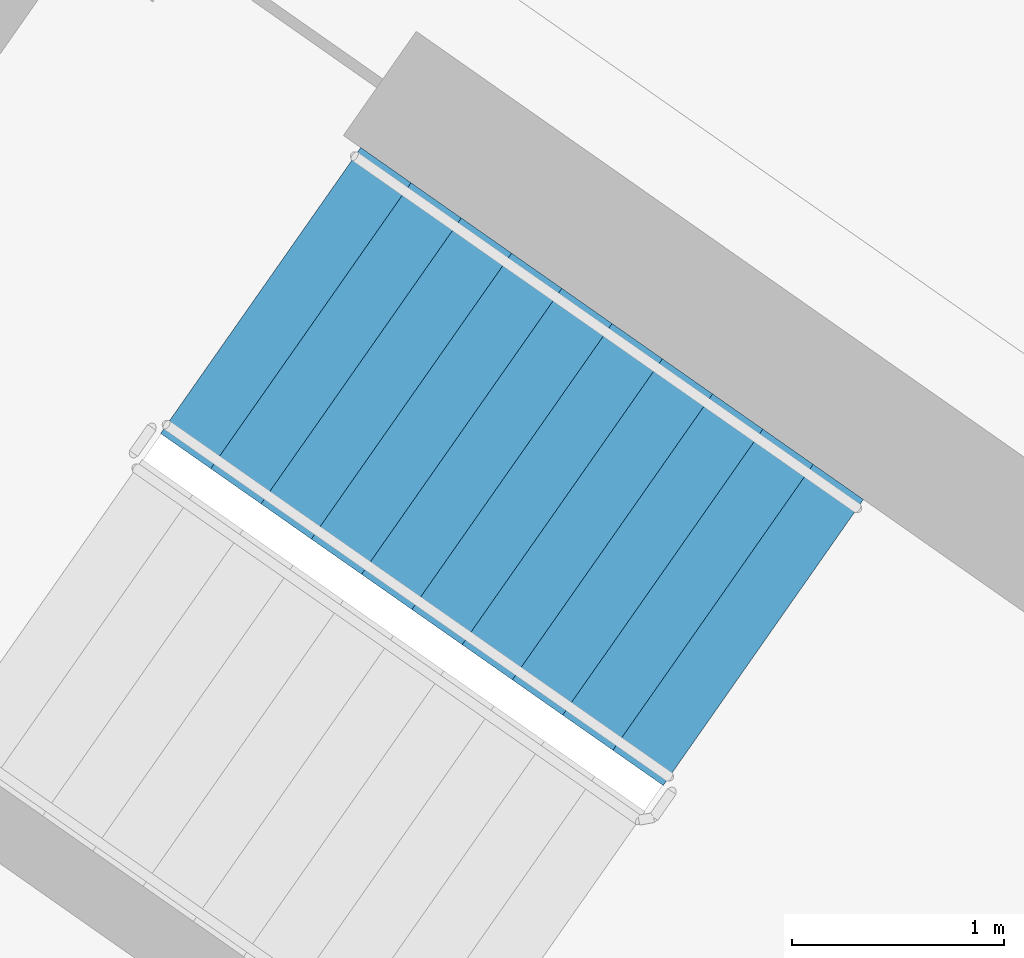
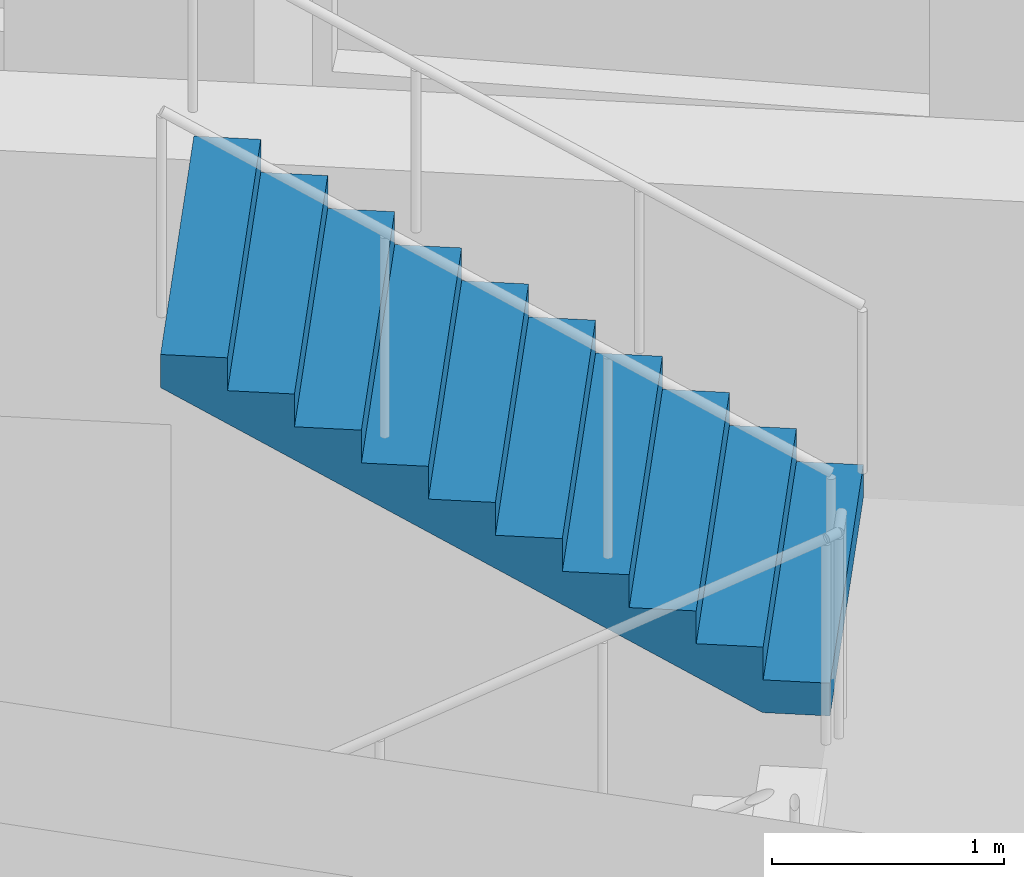
# One storey, part 12 of 27: 1 stair flight, 1 element without a shape of its own.
"""IFC4 building model written with IfcOpenShell, lengths in metres."""

from ifc_helpers import new_model, si_unit, direction, frame, origin, place, context, subcontext, project, spatial, faceted_brep, material, type_object, element, aggregate, save


model = new_model("IFC4")

# Units and contexts
model_context = context("Model", 3, precision=1e-05, world=origin(), true_north=direction((0.0, 1.0)))
body_context = subcontext(model_context, "Body", "Model", "MODEL_VIEW")
ifc_project = project(units=[si_unit("LENGTHUNIT", "METRE"), si_unit("AREAUNIT", "SQUARE_METRE"), si_unit("VOLUMEUNIT", "CUBIC_METRE"), si_unit("PLANEANGLEUNIT", "RADIAN"), si_unit("MASSUNIT", "GRAM", prefix="KILO")], contexts=[model_context])

# Site, building, storey
site_placement = place(None, origin())
site = spatial("IfcSite", under=ifc_project, at=site_placement, CompositionType="ELEMENT")
building_placement = place(site_placement, origin())
building = spatial("IfcBuilding", under=site, at=building_placement, Name="Qamariyya Broadcast Tower", CompositionType="ELEMENT")
storey_placement = place(building_placement, frame((0.0, 0.0, 164.5)))
storey = spatial("IfcBuildingStorey", under=building, at=storey_placement, Name="L38", CompositionType="ELEMENT", Elevation=164.5)

# Stair, stair flight
ifc_material = material(Name="Concrete C50/60", Category="concrete")
stair_type = type_object("IfcStairType", Name="Exit stair 22 risers of 173 mm", PredefinedType="HALF_TURN_STAIR", material=ifc_material)
stair_placement = place(storey_placement, origin())
stair = element("IfcStair", 1, at=stair_placement, inside=storey, type_object=stair_type, Name="L38 Stair W2", PredefinedType="HALF_TURN_STAIR")
stair_flight_type = type_object("IfcStairFlightType", Name="Exit stair flight 11 risers of 173 mm", PredefinedType="STRAIGHT", material=ifc_material)
stair_flight_placement = place(storey_placement, frame((-38.18310546875, -49.3486328125, 1.89990234375), z_axis=(0.0, 0.0, 1.0), x_axis=(-0.819152044289, 0.573576436351, 0.0)))
stair_flight = element("IfcStairFlight", 2, at=stair_flight_placement, type_object=stair_flight_type, Name="ST-W2 flight 2", NumberOfRisers=11, NumberOfTreads=10, PredefinedType="STRAIGHT", RiserHeight=0.172727273, TreadLength=0.29, context=body_context, shape_type="Brep", body=[
    faceted_brep([(0.0, 0.824951171875, 0.0), (0.0, 0.824951171875, 0.172607421875), (0.2900390625, 0.824951171875, 0.172607421875), (0.2900390625, 0.824951171875, 0.345458984375), (0.580078125, 0.824951171875, 0.345458984375), (0.580078125, 0.824951171875, 0.51806640625), (0.8701171875, 0.824951171875, 0.51806640625), (0.8701171875, 0.824951171875, 0.69091796875), (1.159912109375, 0.824951171875, 0.69091796875), (1.159912109375, 0.824951171875, 0.863525390625), (1.449951171875, 0.824951171875, 0.863525390625), (1.449951171875, 0.824951171875, 1.036376953125), (1.739990234375, 0.824951171875, 1.036376953125), (1.739990234375, 0.824951171875, 1.208984375), (2.030029296875, 0.824951171875, 1.208984375), (2.030029296875, 0.824951171875, 1.3818359375), (2.320068359375, 0.824951171875, 1.3818359375), (2.320068359375, 0.824951171875, 1.554443359375), (2.610107421875, 0.824951171875, 1.554443359375), (2.610107421875, 0.824951171875, 1.727294921875), (2.89990234375, 0.824951171875, 1.727294921875), (2.89990234375, 0.824951171875, 1.552734375), (0.29296875, 0.824951171875, 0.0), (0.29296875, -0.824951171875, 0.0), (2.89990234375, -0.824951171875, 1.552734375), (2.89990234375, -0.824951171875, 1.727294921875), (2.610107421875, -0.824951171875, 1.727294921875), (2.610107421875, -0.824951171875, 1.554443359375), (2.320068359375, -0.824951171875, 1.554443359375), (2.320068359375, -0.824951171875, 1.3818359375), (2.030029296875, -0.824951171875, 1.3818359375), (2.030029296875, -0.824951171875, 1.208984375), (1.739990234375, -0.824951171875, 1.208984375), (1.739990234375, -0.824951171875, 1.036376953125), (1.449951171875, -0.824951171875, 1.036376953125), (1.449951171875, -0.824951171875, 0.863525390625), (1.159912109375, -0.824951171875, 0.863525390625), (1.159912109375, -0.824951171875, 0.69091796875), (0.8701171875, -0.824951171875, 0.69091796875), (0.8701171875, -0.824951171875, 0.51806640625), (0.580078125, -0.824951171875, 0.51806640625), (0.580078125, -0.824951171875, 0.345458984375), (0.2900390625, -0.824951171875, 0.345458984375), (0.2900390625, -0.824951171875, 0.172607421875), (0.0, -0.824951171875, 0.172607421875), (0.0, -0.824951171875, 0.0), (0.0, 0.10009765625, 0.0), (0.0, 0.086669921875, 0.0), (0.0, 0.0732421875, 0.0), (0.0, 0.06005859375, 0.0), (0.0, 0.046630859375, 0.0), (0.0, 0.033447265625, 0.0), (0.0, 0.02001953125, 0.0), (0.0, 0.006591796875, 0.0), (0.0, -0.006591796875, 0.0), (0.0, -0.02001953125, 0.0), (0.0, -0.033447265625, 0.0), (0.0, -0.046630859375, 0.0), (0.0, -0.06005859375, 0.0), (0.0, -0.0732421875, 0.0), (0.0, -0.086669921875, 0.0), (0.0, -0.10009765625, 0.0), (0.0, -0.10009765625, 0.172607421875), (0.0, -0.086669921875, 0.172607421875), (0.0, -0.0732421875, 0.172607421875), (0.0, -0.06005859375, 0.172607421875), (0.0, -0.046630859375, 0.172607421875), (0.0, -0.033447265625, 0.172607421875), (0.0, -0.02001953125, 0.172607421875), (0.0, -0.006591796875, 0.172607421875), (0.0, 0.006591796875, 0.172607421875), (0.0, 0.02001953125, 0.172607421875), (0.0, 0.033447265625, 0.172607421875), (0.0, 0.046630859375, 0.172607421875), (0.0, 0.06005859375, 0.172607421875), (0.0, 0.0732421875, 0.172607421875), (0.0, 0.086669921875, 0.172607421875), (0.0, 0.10009765625, 0.172607421875), (0.2900390625, -0.10009765625, 0.172607421875), (0.2900390625, -0.086669921875, 0.172607421875), (0.2900390625, -0.0732421875, 0.172607421875), (0.2900390625, -0.06005859375, 0.172607421875), (0.2900390625, -0.046630859375, 0.172607421875), (0.2900390625, -0.033447265625, 0.172607421875), (0.2900390625, -0.02001953125, 0.172607421875), (0.2900390625, -0.006591796875, 0.172607421875), (0.2900390625, 0.006591796875, 0.172607421875), (0.2900390625, 0.02001953125, 0.172607421875), (0.2900390625, 0.033447265625, 0.172607421875), (0.2900390625, 0.046630859375, 0.172607421875), (0.2900390625, 0.06005859375, 0.172607421875), (0.2900390625, 0.0732421875, 0.172607421875), (0.2900390625, 0.086669921875, 0.172607421875), (0.2900390625, 0.10009765625, 0.172607421875), (0.2900390625, -0.10009765625, 0.345458984375), (0.2900390625, -0.086669921875, 0.345458984375), (0.2900390625, -0.0732421875, 0.345458984375), (0.2900390625, -0.06005859375, 0.345458984375), (0.2900390625, -0.046630859375, 0.345458984375), (0.2900390625, -0.033447265625, 0.345458984375), (0.2900390625, -0.02001953125, 0.345458984375), (0.2900390625, -0.006591796875, 0.345458984375), (0.2900390625, 0.006591796875, 0.345458984375), (0.2900390625, 0.02001953125, 0.345458984375), (0.2900390625, 0.033447265625, 0.345458984375), (0.2900390625, 0.046630859375, 0.345458984375), (0.2900390625, 0.06005859375, 0.345458984375), (0.2900390625, 0.0732421875, 0.345458984375), (0.2900390625, 0.086669921875, 0.345458984375), (0.2900390625, 0.10009765625, 0.345458984375), (0.580078125, -0.10009765625, 0.345458984375), (0.580078125, -0.086669921875, 0.345458984375), (0.580078125, -0.0732421875, 0.345458984375), (0.580078125, -0.06005859375, 0.345458984375), (0.580078125, -0.046630859375, 0.345458984375), (0.580078125, -0.033447265625, 0.345458984375), (0.580078125, -0.02001953125, 0.345458984375), (0.580078125, -0.006591796875, 0.345458984375), (0.580078125, 0.006591796875, 0.345458984375), (0.580078125, 0.02001953125, 0.345458984375), (0.580078125, 0.033447265625, 0.345458984375), (0.580078125, 0.046630859375, 0.345458984375), (0.580078125, 0.06005859375, 0.345458984375), (0.580078125, 0.0732421875, 0.345458984375), (0.580078125, 0.086669921875, 0.345458984375), (0.580078125, 0.10009765625, 0.345458984375), (0.580078125, -0.10009765625, 0.51806640625), (0.580078125, -0.086669921875, 0.51806640625), (0.580078125, -0.0732421875, 0.51806640625), (0.580078125, -0.06005859375, 0.51806640625), (0.580078125, -0.046630859375, 0.51806640625), (0.580078125, -0.033447265625, 0.51806640625), (0.580078125, -0.02001953125, 0.51806640625), (0.580078125, -0.006591796875, 0.51806640625), (0.580078125, 0.006591796875, 0.51806640625), (0.580078125, 0.02001953125, 0.51806640625), (0.580078125, 0.033447265625, 0.51806640625), (0.580078125, 0.046630859375, 0.51806640625), (0.580078125, 0.06005859375, 0.51806640625), (0.580078125, 0.0732421875, 0.51806640625), (0.580078125, 0.086669921875, 0.51806640625), (0.580078125, 0.10009765625, 0.51806640625), (0.8701171875, -0.10009765625, 0.51806640625), (0.8701171875, -0.086669921875, 0.51806640625), (0.8701171875, -0.0732421875, 0.51806640625), (0.8701171875, -0.06005859375, 0.51806640625), (0.8701171875, -0.046630859375, 0.51806640625), (0.8701171875, -0.033447265625, 0.51806640625), (0.8701171875, -0.02001953125, 0.51806640625), (0.8701171875, -0.006591796875, 0.51806640625), (0.8701171875, 0.006591796875, 0.51806640625), (0.8701171875, 0.02001953125, 0.51806640625), (0.8701171875, 0.033447265625, 0.51806640625), (0.8701171875, 0.046630859375, 0.51806640625), (0.8701171875, 0.06005859375, 0.51806640625), (0.8701171875, 0.0732421875, 0.51806640625), (0.8701171875, 0.086669921875, 0.51806640625), (0.8701171875, 0.10009765625, 0.51806640625), (0.8701171875, -0.10009765625, 0.69091796875), (0.8701171875, -0.086669921875, 0.69091796875), (0.8701171875, -0.0732421875, 0.69091796875), (0.8701171875, -0.06005859375, 0.69091796875), (0.8701171875, -0.046630859375, 0.69091796875), (0.8701171875, -0.033447265625, 0.69091796875), (0.8701171875, -0.02001953125, 0.69091796875), (0.8701171875, -0.006591796875, 0.69091796875), (0.8701171875, 0.006591796875, 0.69091796875), (0.8701171875, 0.02001953125, 0.69091796875), (0.8701171875, 0.033447265625, 0.69091796875), (0.8701171875, 0.046630859375, 0.69091796875), (0.8701171875, 0.06005859375, 0.69091796875), (0.8701171875, 0.0732421875, 0.69091796875), (0.8701171875, 0.086669921875, 0.69091796875), (0.8701171875, 0.10009765625, 0.69091796875), (1.159912109375, -0.10009765625, 0.69091796875), (1.159912109375, -0.086669921875, 0.69091796875), (1.159912109375, -0.0732421875, 0.69091796875), (1.159912109375, -0.06005859375, 0.69091796875), (1.159912109375, -0.046630859375, 0.69091796875), (1.159912109375, -0.033447265625, 0.69091796875), (1.159912109375, -0.02001953125, 0.69091796875), (1.159912109375, -0.006591796875, 0.69091796875), (1.159912109375, 0.006591796875, 0.69091796875), (1.159912109375, 0.02001953125, 0.69091796875), (1.159912109375, 0.033447265625, 0.69091796875), (1.159912109375, 0.046630859375, 0.69091796875), (1.159912109375, 0.06005859375, 0.69091796875), (1.159912109375, 0.0732421875, 0.69091796875), (1.159912109375, 0.086669921875, 0.69091796875), (1.159912109375, 0.10009765625, 0.69091796875), (1.159912109375, -0.10009765625, 0.863525390625), (1.159912109375, -0.086669921875, 0.863525390625), (1.159912109375, -0.0732421875, 0.863525390625), (1.159912109375, -0.06005859375, 0.863525390625), (1.159912109375, -0.046630859375, 0.863525390625), (1.159912109375, -0.033447265625, 0.863525390625), (1.159912109375, -0.02001953125, 0.863525390625), (1.159912109375, -0.006591796875, 0.863525390625), (1.159912109375, 0.006591796875, 0.863525390625), (1.159912109375, 0.02001953125, 0.863525390625), (1.159912109375, 0.033447265625, 0.863525390625), (1.159912109375, 0.046630859375, 0.863525390625), (1.159912109375, 0.06005859375, 0.863525390625), (1.159912109375, 0.0732421875, 0.863525390625), (1.159912109375, 0.086669921875, 0.863525390625), (1.159912109375, 0.10009765625, 0.863525390625), (1.449951171875, -0.10009765625, 0.863525390625), (1.449951171875, -0.086669921875, 0.863525390625), (1.449951171875, -0.0732421875, 0.863525390625), (1.449951171875, -0.06005859375, 0.863525390625), (1.449951171875, -0.046630859375, 0.863525390625), (1.449951171875, -0.033447265625, 0.863525390625), (1.449951171875, -0.02001953125, 0.863525390625), (1.449951171875, -0.006591796875, 0.863525390625), (1.449951171875, 0.006591796875, 0.863525390625), (1.449951171875, 0.02001953125, 0.863525390625), (1.449951171875, 0.033447265625, 0.863525390625), (1.449951171875, 0.046630859375, 0.863525390625), (1.449951171875, 0.06005859375, 0.863525390625), (1.449951171875, 0.0732421875, 0.863525390625), (1.449951171875, 0.086669921875, 0.863525390625), (1.449951171875, 0.10009765625, 0.863525390625), (1.449951171875, -0.10009765625, 1.036376953125), (1.449951171875, -0.086669921875, 1.036376953125), (1.449951171875, -0.0732421875, 1.036376953125), (1.449951171875, -0.06005859375, 1.036376953125), (1.449951171875, -0.046630859375, 1.036376953125), (1.449951171875, -0.033447265625, 1.036376953125), (1.449951171875, -0.02001953125, 1.036376953125), (1.449951171875, -0.006591796875, 1.036376953125), (1.449951171875, 0.006591796875, 1.036376953125), (1.449951171875, 0.02001953125, 1.036376953125), (1.449951171875, 0.033447265625, 1.036376953125), (1.449951171875, 0.046630859375, 1.036376953125), (1.449951171875, 0.06005859375, 1.036376953125), (1.449951171875, 0.0732421875, 1.036376953125), (1.449951171875, 0.086669921875, 1.036376953125), (1.449951171875, 0.10009765625, 1.036376953125), (1.739990234375, -0.10009765625, 1.036376953125), (1.739990234375, -0.086669921875, 1.036376953125), (1.739990234375, -0.0732421875, 1.036376953125), (1.739990234375, -0.06005859375, 1.036376953125), (1.739990234375, -0.046630859375, 1.036376953125), (1.739990234375, -0.033447265625, 1.036376953125), (1.739990234375, -0.02001953125, 1.036376953125), (1.739990234375, -0.006591796875, 1.036376953125), (1.739990234375, 0.006591796875, 1.036376953125), (1.739990234375, 0.02001953125, 1.036376953125), (1.739990234375, 0.033447265625, 1.036376953125), (1.739990234375, 0.046630859375, 1.036376953125), (1.739990234375, 0.06005859375, 1.036376953125), (1.739990234375, 0.0732421875, 1.036376953125), (1.739990234375, 0.086669921875, 1.036376953125), (1.739990234375, 0.10009765625, 1.036376953125), (1.739990234375, -0.10009765625, 1.208984375), (1.739990234375, -0.086669921875, 1.208984375), (1.739990234375, -0.0732421875, 1.208984375), (1.739990234375, -0.06005859375, 1.208984375), (1.739990234375, -0.046630859375, 1.208984375), (1.739990234375, -0.033447265625, 1.208984375), (1.739990234375, -0.02001953125, 1.208984375), (1.739990234375, -0.006591796875, 1.208984375), (1.739990234375, 0.006591796875, 1.208984375), (1.739990234375, 0.02001953125, 1.208984375), (1.739990234375, 0.033447265625, 1.208984375), (1.739990234375, 0.046630859375, 1.208984375), (1.739990234375, 0.06005859375, 1.208984375), (1.739990234375, 0.0732421875, 1.208984375), (1.739990234375, 0.086669921875, 1.208984375), (1.739990234375, 0.10009765625, 1.208984375), (2.030029296875, -0.10009765625, 1.208984375), (2.030029296875, -0.086669921875, 1.208984375), (2.030029296875, -0.0732421875, 1.208984375), (2.030029296875, -0.06005859375, 1.208984375), (2.030029296875, -0.046630859375, 1.208984375), (2.030029296875, -0.033447265625, 1.208984375), (2.030029296875, -0.02001953125, 1.208984375), (2.030029296875, -0.006591796875, 1.208984375), (2.030029296875, 0.006591796875, 1.208984375), (2.030029296875, 0.02001953125, 1.208984375), (2.030029296875, 0.033447265625, 1.208984375), (2.030029296875, 0.046630859375, 1.208984375), (2.030029296875, 0.06005859375, 1.208984375), (2.030029296875, 0.0732421875, 1.208984375), (2.030029296875, 0.086669921875, 1.208984375), (2.030029296875, 0.10009765625, 1.208984375), (2.030029296875, -0.10009765625, 1.3818359375), (2.030029296875, -0.086669921875, 1.3818359375), (2.030029296875, -0.0732421875, 1.3818359375), (2.030029296875, -0.06005859375, 1.3818359375), (2.030029296875, -0.046630859375, 1.3818359375), (2.030029296875, -0.033447265625, 1.3818359375), (2.030029296875, -0.02001953125, 1.3818359375), (2.030029296875, -0.006591796875, 1.3818359375), (2.030029296875, 0.006591796875, 1.3818359375), (2.030029296875, 0.02001953125, 1.3818359375), (2.030029296875, 0.033447265625, 1.3818359375), (2.030029296875, 0.046630859375, 1.3818359375), (2.030029296875, 0.06005859375, 1.3818359375), (2.030029296875, 0.0732421875, 1.3818359375), (2.030029296875, 0.086669921875, 1.3818359375), (2.030029296875, 0.10009765625, 1.3818359375), (2.320068359375, -0.10009765625, 1.3818359375), (2.320068359375, -0.086669921875, 1.3818359375), (2.320068359375, -0.0732421875, 1.3818359375), (2.320068359375, -0.06005859375, 1.3818359375), (2.320068359375, -0.046630859375, 1.3818359375), (2.320068359375, -0.033447265625, 1.3818359375), (2.320068359375, -0.02001953125, 1.3818359375), (2.320068359375, -0.006591796875, 1.3818359375), (2.320068359375, 0.006591796875, 1.3818359375), (2.320068359375, 0.02001953125, 1.3818359375), (2.320068359375, 0.033447265625, 1.3818359375), (2.320068359375, 0.046630859375, 1.3818359375), (2.320068359375, 0.06005859375, 1.3818359375), (2.320068359375, 0.0732421875, 1.3818359375), (2.320068359375, 0.086669921875, 1.3818359375), (2.320068359375, 0.10009765625, 1.3818359375), (2.320068359375, -0.10009765625, 1.554443359375), (2.320068359375, -0.086669921875, 1.554443359375), (2.320068359375, -0.0732421875, 1.554443359375), (2.320068359375, -0.06005859375, 1.554443359375), (2.320068359375, -0.046630859375, 1.554443359375), (2.320068359375, -0.033447265625, 1.554443359375), (2.320068359375, -0.02001953125, 1.554443359375), (2.320068359375, -0.006591796875, 1.554443359375), (2.320068359375, 0.006591796875, 1.554443359375), (2.320068359375, 0.02001953125, 1.554443359375), (2.320068359375, 0.033447265625, 1.554443359375), (2.320068359375, 0.046630859375, 1.554443359375), (2.320068359375, 0.06005859375, 1.554443359375), (2.320068359375, 0.0732421875, 1.554443359375), (2.320068359375, 0.086669921875, 1.554443359375), (2.320068359375, 0.10009765625, 1.554443359375), (2.610107421875, -0.10009765625, 1.554443359375), (2.610107421875, -0.086669921875, 1.554443359375), (2.610107421875, -0.0732421875, 1.554443359375), (2.610107421875, -0.06005859375, 1.554443359375), (2.610107421875, -0.046630859375, 1.554443359375), (2.610107421875, -0.033447265625, 1.554443359375), (2.610107421875, -0.02001953125, 1.554443359375), (2.610107421875, -0.006591796875, 1.554443359375), (2.610107421875, 0.006591796875, 1.554443359375), (2.610107421875, 0.02001953125, 1.554443359375), (2.610107421875, 0.033447265625, 1.554443359375), (2.610107421875, 0.046630859375, 1.554443359375), (2.610107421875, 0.06005859375, 1.554443359375), (2.610107421875, 0.0732421875, 1.554443359375), (2.610107421875, 0.086669921875, 1.554443359375), (2.610107421875, 0.10009765625, 1.554443359375), (2.610107421875, -0.10009765625, 1.727294921875), (2.610107421875, -0.086669921875, 1.727294921875), (2.610107421875, -0.0732421875, 1.727294921875), (2.610107421875, -0.06005859375, 1.727294921875), (2.610107421875, -0.046630859375, 1.727294921875), (2.610107421875, -0.033447265625, 1.727294921875), (2.610107421875, -0.02001953125, 1.727294921875), (2.610107421875, -0.006591796875, 1.727294921875), (2.610107421875, 0.006591796875, 1.727294921875), (2.610107421875, 0.02001953125, 1.727294921875), (2.610107421875, 0.033447265625, 1.727294921875), (2.610107421875, 0.046630859375, 1.727294921875), (2.610107421875, 0.06005859375, 1.727294921875), (2.610107421875, 0.0732421875, 1.727294921875), (2.610107421875, 0.086669921875, 1.727294921875), (2.610107421875, 0.10009765625, 1.727294921875), (2.89990234375, -0.10009765625, 1.727294921875), (2.89990234375, -0.086669921875, 1.727294921875), (2.89990234375, -0.0732421875, 1.727294921875), (2.89990234375, -0.06005859375, 1.727294921875), (2.89990234375, -0.046630859375, 1.727294921875), (2.89990234375, -0.033447265625, 1.727294921875), (2.89990234375, -0.02001953125, 1.727294921875), (2.89990234375, -0.006591796875, 1.727294921875), (2.89990234375, 0.006591796875, 1.727294921875), (2.89990234375, 0.02001953125, 1.727294921875), (2.89990234375, 0.033447265625, 1.727294921875), (2.89990234375, 0.046630859375, 1.727294921875), (2.89990234375, 0.06005859375, 1.727294921875), (2.89990234375, 0.0732421875, 1.727294921875), (2.89990234375, 0.086669921875, 1.727294921875), (2.89990234375, 0.10009765625, 1.727294921875), (2.89990234375, -0.10009765625, 1.552734375), (2.89990234375, -0.086669921875, 1.552734375), (2.89990234375, -0.0732421875, 1.552734375), (2.89990234375, -0.06005859375, 1.552734375), (2.89990234375, -0.046630859375, 1.552734375), (2.89990234375, -0.033447265625, 1.552734375), (2.89990234375, -0.02001953125, 1.552734375), (2.89990234375, -0.006591796875, 1.552734375), (2.89990234375, 0.006591796875, 1.552734375), (2.89990234375, 0.02001953125, 1.552734375), (2.89990234375, 0.033447265625, 1.552734375), (2.89990234375, 0.046630859375, 1.552734375), (2.89990234375, 0.06005859375, 1.552734375), (2.89990234375, 0.0732421875, 1.552734375), (2.89990234375, 0.086669921875, 1.552734375), (2.89990234375, 0.10009765625, 1.552734375), (0.29296875, -0.10009765625, 0.0), (0.29296875, -0.086669921875, 0.0), (0.29296875, -0.0732421875, 0.0), (0.29296875, -0.06005859375, 0.0), (0.29296875, -0.046630859375, 0.0), (0.29296875, -0.033447265625, 0.0), (0.29296875, -0.02001953125, 0.0), (0.29296875, -0.006591796875, 0.0), (0.29296875, 0.006591796875, 0.0), (0.29296875, 0.02001953125, 0.0), (0.29296875, 0.033447265625, 0.0), (0.29296875, 0.046630859375, 0.0), (0.29296875, 0.06005859375, 0.0), (0.29296875, 0.0732421875, 0.0), (0.29296875, 0.086669921875, 0.0), (0.29296875, 0.10009765625, 0.0)], [[[0, 1, 2, 3, 4, 5, 6, 7, 8, 9, 10, 11, 12, 13, 14, 15, 16, 17, 18, 19, 20, 21, 22]], [[23, 24, 25, 26, 27, 28, 29, 30, 31, 32, 33, 34, 35, 36, 37, 38, 39, 40, 41, 42, 43, 44, 45]], [[0, 46, 47, 48, 49, 50, 51, 52, 53, 54, 55, 56, 57, 58, 59, 60, 61, 45, 44, 62, 63, 64, 65, 66, 67, 68, 69, 70, 71, 72, 73, 74, 75, 76, 77, 1]], [[1, 77, 76, 75, 74, 73, 72, 71, 70, 69, 68, 67, 66, 65, 64, 63, 62, 44, 43, 78, 79, 80, 81, 82, 83, 84, 85, 86, 87, 88, 89, 90, 91, 92, 93, 2]], [[2, 93, 92, 91, 90, 89, 88, 87, 86, 85, 84, 83, 82, 81, 80, 79, 78, 43, 42, 94, 95, 96, 97, 98, 99, 100, 101, 102, 103, 104, 105, 106, 107, 108, 109, 3]], [[3, 109, 108, 107, 106, 105, 104, 103, 102, 101, 100, 99, 98, 97, 96, 95, 94, 42, 41, 110, 111, 112, 113, 114, 115, 116, 117, 118, 119, 120, 121, 122, 123, 124, 125, 4]], [[4, 125, 124, 123, 122, 121, 120, 119, 118, 117, 116, 115, 114, 113, 112, 111, 110, 41, 40, 126, 127, 128, 129, 130, 131, 132, 133, 134, 135, 136, 137, 138, 139, 140, 141, 5]], [[5, 141, 140, 139, 138, 137, 136, 135, 134, 133, 132, 131, 130, 129, 128, 127, 126, 40, 39, 142, 143, 144, 145, 146, 147, 148, 149, 150, 151, 152, 153, 154, 155, 156, 157, 6]], [[6, 157, 156, 155, 154, 153, 152, 151, 150, 149, 148, 147, 146, 145, 144, 143, 142, 39, 38, 158, 159, 160, 161, 162, 163, 164, 165, 166, 167, 168, 169, 170, 171, 172, 173, 7]], [[7, 173, 172, 171, 170, 169, 168, 167, 166, 165, 164, 163, 162, 161, 160, 159, 158, 38, 37, 174, 175, 176, 177, 178, 179, 180, 181, 182, 183, 184, 185, 186, 187, 188, 189, 8]], [[8, 189, 188, 187, 186, 185, 184, 183, 182, 181, 180, 179, 178, 177, 176, 175, 174, 37, 36, 190, 191, 192, 193, 194, 195, 196, 197, 198, 199, 200, 201, 202, 203, 204, 205, 9]], [[9, 205, 204, 203, 202, 201, 200, 199, 198, 197, 196, 195, 194, 193, 192, 191, 190, 36, 35, 206, 207, 208, 209, 210, 211, 212, 213, 214, 215, 216, 217, 218, 219, 220, 221, 10]], [[10, 221, 220, 219, 218, 217, 216, 215, 214, 213, 212, 211, 210, 209, 208, 207, 206, 35, 34, 222, 223, 224, 225, 226, 227, 228, 229, 230, 231, 232, 233, 234, 235, 236, 237, 11]], [[11, 237, 236, 235, 234, 233, 232, 231, 230, 229, 228, 227, 226, 225, 224, 223, 222, 34, 33, 238, 239, 240, 241, 242, 243, 244, 245, 246, 247, 248, 249, 250, 251, 252, 253, 12]], [[12, 253, 252, 251, 250, 249, 248, 247, 246, 245, 244, 243, 242, 241, 240, 239, 238, 33, 32, 254, 255, 256, 257, 258, 259, 260, 261, 262, 263, 264, 265, 266, 267, 268, 269, 13]], [[13, 269, 268, 267, 266, 265, 264, 263, 262, 261, 260, 259, 258, 257, 256, 255, 254, 32, 31, 270, 271, 272, 273, 274, 275, 276, 277, 278, 279, 280, 281, 282, 283, 284, 285, 14]], [[14, 285, 284, 283, 282, 281, 280, 279, 278, 277, 276, 275, 274, 273, 272, 271, 270, 31, 30, 286, 287, 288, 289, 290, 291, 292, 293, 294, 295, 296, 297, 298, 299, 300, 301, 15]], [[15, 301, 300, 299, 298, 297, 296, 295, 294, 293, 292, 291, 290, 289, 288, 287, 286, 30, 29, 302, 303, 304, 305, 306, 307, 308, 309, 310, 311, 312, 313, 314, 315, 316, 317, 16]], [[16, 317, 316, 315, 314, 313, 312, 311, 310, 309, 308, 307, 306, 305, 304, 303, 302, 29, 28, 318, 319, 320, 321, 322, 323, 324, 325, 326, 327, 328, 329, 330, 331, 332, 333, 17]], [[17, 333, 332, 331, 330, 329, 328, 327, 326, 325, 324, 323, 322, 321, 320, 319, 318, 28, 27, 334, 335, 336, 337, 338, 339, 340, 341, 342, 343, 344, 345, 346, 347, 348, 349, 18]], [[18, 349, 348, 347, 346, 345, 344, 343, 342, 341, 340, 339, 338, 337, 336, 335, 334, 27, 26, 350, 351, 352, 353, 354, 355, 356, 357, 358, 359, 360, 361, 362, 363, 364, 365, 19]], [[19, 365, 364, 363, 362, 361, 360, 359, 358, 357, 356, 355, 354, 353, 352, 351, 350, 26, 25, 366, 367, 368, 369, 370, 371, 372, 373, 374, 375, 376, 377, 378, 379, 380, 381, 20]], [[20, 381, 380, 379, 378, 377, 376, 375, 374, 373, 372, 371, 370, 369, 368, 367, 366, 25, 24, 382, 383, 384, 385, 386, 387, 388, 389, 390, 391, 392, 393, 394, 395, 396, 397, 21]], [[21, 397, 396, 395, 394, 393, 392, 391, 390, 389, 388, 387, 386, 385, 384, 383, 382, 24, 23, 398, 399, 400, 401, 402, 403, 404, 405, 406, 407, 408, 409, 410, 411, 412, 413, 22]], [[22, 413, 412, 411, 410, 409, 408, 407, 406, 405, 404, 403, 402, 401, 400, 399, 398, 23, 45, 61, 60, 59, 58, 57, 56, 55, 54, 53, 52, 51, 50, 49, 48, 47, 46, 0]]]),
])
aggregate(stair, [stair_flight])

save(model, "model.ifc")
